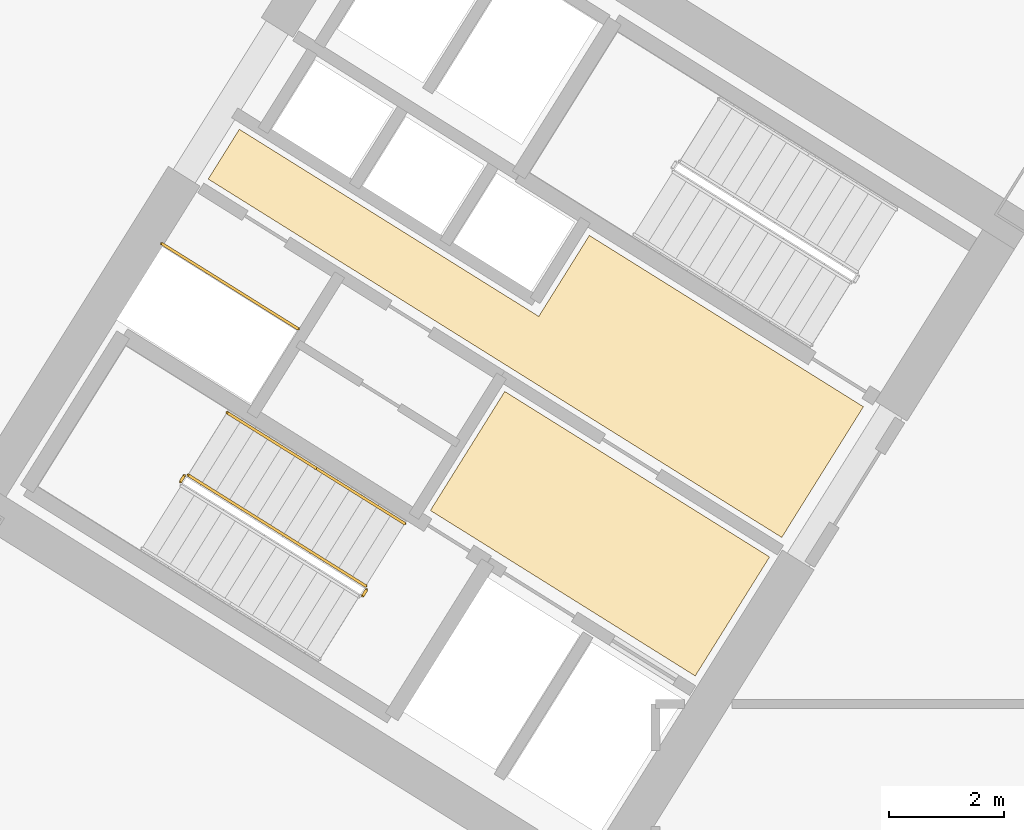
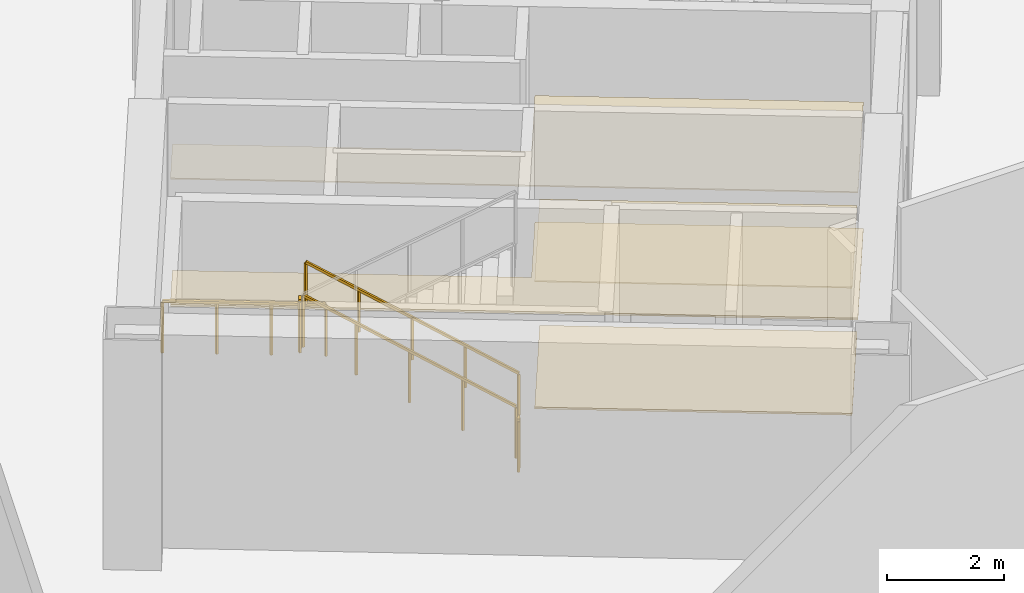
# One storey, part 18 of 22: 6 railings, 4 coverings.
"""IFC4 building model written with IfcOpenShell, lengths in metres."""

from ifc_helpers import new_model, si_unit, direction, frame, origin, origin_2d, place, context, subcontext, project, spatial, polyline, rectangle, outline, extrude, source, transform, mapped, material, layer, layer_set, type_object, element, save


model = new_model("IFC4")

# Units and contexts
model_context = context("Model", 3, precision=1e-05, world=origin(), true_north=direction((0.0, 1.0)))
body_context = subcontext(model_context, "Body", "Model", "MODEL_VIEW")
ifc_project = project(units=[si_unit("LENGTHUNIT", "METRE"), si_unit("AREAUNIT", "SQUARE_METRE"), si_unit("VOLUMEUNIT", "CUBIC_METRE"), si_unit("PLANEANGLEUNIT", "RADIAN"), si_unit("MASSUNIT", "GRAM", prefix="KILO")], contexts=[model_context])

# Site, building, storey
site_placement = place(None, origin())
site = spatial("IfcSite", under=ifc_project, at=site_placement, CompositionType="ELEMENT")
building_placement = place(site_placement, origin())
building = spatial("IfcBuilding", under=site, at=building_placement, Name="Tlacorven Tower", CompositionType="ELEMENT")
storey_placement = place(building_placement, frame((0.0, 0.0, 5.39990234375)))
storey = spatial("IfcBuildingStorey", under=building, at=storey_placement, Name="L01", CompositionType="ELEMENT", Elevation=5.39990234375)

# Coverings
ifc_material_1 = material(Name="Acoustic mineral-fibre ceiling")
ifc_layer_1 = layer(ifc_material_1, 0.02490234375)
ifc_layer_set_1 = layer_set([ifc_layer_1], Name="Acoustic mineral-fibre ceiling")
covering_type_1 = type_object("IfcCoveringType", Name="CV-CLG-ACST", PredefinedType="CEILING", material=ifc_layer_set_1)
covering_1_placement = place(storey_placement, frame((0.0, 0.0, 2.650146484375)))
element("IfcCovering", 1, at=covering_1_placement, inside=storey, type_object=covering_type_1, Name="L01 Acoustic Suspended Ceiling 1", PredefinedType="CEILING", context=body_context, shape_type="SweptSolid", body=[
    extrude(outline(polyline([(36.185302734375, 18.35595703125), (34.892333984375, 16.286865234375), (30.287353515625, 19.164306640625), (31.580322265625, 21.2333984375), (36.185302734375, 18.35595703125)])), origin(), (0.0, 0.0, 1.0), 0.02490234375),
])
covering_2_placement = place(storey_placement, frame((0.0, 0.0, 2.650146484375)))
element("IfcCovering", 2, at=covering_2_placement, inside=storey, type_object=covering_type_1, Name="L01 Acoustic Suspended Ceiling 2", PredefinedType="CEILING", context=body_context, shape_type="SweptSolid", body=[
    extrude(outline(polyline([(37.8173828125, 20.968017578125), (36.397216796875, 18.6953125), (26.424072265625, 24.927001953125), (26.964599609375, 25.7919921875), (32.171630859375, 22.538330078125), (33.05126953125, 23.946044921875), (37.8173828125, 20.968017578125)])), origin(), (0.0, 0.0, 1.0), 0.02490234375),
])
ifc_material_2 = material(Name="Terrazzo and ceramic flooring")
ifc_layer_2 = layer(ifc_material_2, 0.0400390625)
ifc_layer_set_2 = layer_set([ifc_layer_2], Name="Terrazzo and ceramic flooring")
covering_type_2 = type_object("IfcCoveringType", Name="CV-FLR-TERZ", PredefinedType="FLOORING", material=ifc_layer_set_2)
covering_3_placement = place(storey_placement, origin())
element("IfcCovering", 3, at=covering_3_placement, inside=storey, type_object=covering_type_2, Name="L01 Terrazzo Floor Finish 1", PredefinedType="FLOORING", context=body_context, shape_type="SweptSolid", body=[
    extrude(outline(polyline([(36.185302734375, 18.35595703125), (34.892333984375, 16.286865234375), (30.287353515625, 19.164306640625), (31.580322265625, 21.2333984375), (36.185302734375, 18.35595703125)])), origin(), (0.0, 0.0, 1.0), 0.0400390625),
])
covering_4_placement = place(storey_placement, origin())
element("IfcCovering", 4, at=covering_4_placement, inside=storey, type_object=covering_type_2, Name="L01 Terrazzo Floor Finish 2", PredefinedType="FLOORING", context=body_context, shape_type="SweptSolid", body=[
    extrude(outline(polyline([(37.8173828125, 20.968017578125), (36.397216796875, 18.6953125), (26.424072265625, 24.927001953125), (26.964599609375, 25.7919921875), (32.171630859375, 22.538330078125), (33.05126953125, 23.946044921875), (37.8173828125, 20.968017578125)])), origin(), (0.0, 0.0, 1.0), 0.0400390625),
])

# Railings
ifc_material_3 = material(Name="Aluminium and painted steel balustrade", Category="steel")
railing_type_1 = type_object("IfcRailingType", Name="RL-GRD-1100", PredefinedType="GUARDRAIL", material=ifc_material_3)
shared_shape_1 = source(origin(), body_context, "Body", "SweptSolid", [
    extrude(rectangle(XDim=0.048095703125, YDim=0.048095703125, at=origin_2d()), frame((0.0, 0.0, 1.076171875), z_axis=(-0.848091358275, 0.529850024081, 0.0), x_axis=(-0.529850024081, -0.848091358275, 0.0)), (0.0, 0.0, 1.0), 2.800048828125),
    extrude(rectangle(XDim=0.0419921875, YDim=0.0419921875, at=origin_2d()), origin(), (0.0, 0.0, 1.0), 1.052001953125),
    extrude(rectangle(XDim=0.0419921875, YDim=0.0419921875, at=origin_2d()), frame((-0.79150390625, 0.49462890625, 0.0)), (0.0, 0.0, 1.0), 1.052001953125),
    extrude(rectangle(XDim=0.0419921875, YDim=0.0419921875, at=origin_2d()), frame((-1.583251953125, 0.989013671875, 0.0)), (0.0, 0.0, 1.0), 1.052001953125),
    extrude(rectangle(XDim=0.0419921875, YDim=0.0419921875, at=origin_2d()), frame((-2.374755859375, 1.483642578125, 0.0)), (0.0, 0.0, 1.0), 1.052001953125),
])
railing_1_placement = place(storey_placement, frame((27.9912109375, 22.32080078125, 0.0)))
element("IfcRailing", 5, at=railing_1_placement, inside=storey, type_object=railing_type_1, Name="L01 Electrical Riser W Shaft Guard 1", PredefinedType="GUARDRAIL", context=body_context, shape_type="MappedRepresentation", body=[
    mapped(shared_shape_1, transform((0.0, 0.0, 0.0), scale=1.0)),
])
shared_shape_2 = source(origin(), body_context, "Body", "SweptSolid", [
    extrude(rectangle(XDim=0.048095703125, YDim=0.048095703125, at=origin_2d()), frame((0.0, 0.0, 1.076171875), z_axis=(-0.723262235119, 0.451953093932, 0.522139962209), x_axis=(-0.529926592015, -0.848043517206, 0.0)), (0.0, 0.0, 1.0), 4.26806640625),
    extrude(rectangle(XDim=0.0419921875, YDim=0.0419921875, at=origin_2d()), origin(), (0.0, 0.0, 1.0), 1.052001953125),
    extrude(rectangle(XDim=0.0419921875, YDim=0.0419921875, at=origin_2d()), frame((-0.771728515625, 0.482177734375, 0.55712890625)), (0.0, 0.0, 1.0), 1.052001953125),
    extrude(rectangle(XDim=0.0419921875, YDim=0.0419921875, at=origin_2d()), frame((-1.54345703125, 0.96435546875, 1.1142578125)), (0.0, 0.0, 1.0), 1.052001953125),
    extrude(rectangle(XDim=0.0419921875, YDim=0.0419921875, at=origin_2d()), frame((-2.315185546875, 1.44677734375, 1.67138671875)), (0.0, 0.0, 1.0), 1.052001953125),
    extrude(rectangle(XDim=0.0419921875, YDim=0.0419921875, at=origin_2d()), frame((-3.0869140625, 1.928955078125, 2.228515625)), (0.0, 0.0, 1.0), 1.052001953125),
])
railing_2_placement = place(storey_placement, frame((29.16064453125, 17.851806640625, 0.171630859375)))
element("IfcRailing", 6, at=railing_2_placement, inside=storey, type_object=railing_type_1, Name="L01 ST-W1 stair guard 1", PredefinedType="GUARDRAIL", context=body_context, shape_type="MappedRepresentation", body=[
    mapped(shared_shape_2, transform((0.0, 0.0, 0.0), scale=1.0)),
])
shared_shape_3 = source(origin(), body_context, "Body", "SweptSolid", [
    extrude(rectangle(XDim=0.048095703125, YDim=0.048095703125, at=origin_2d()), frame((0.0, 0.0, 1.076171875), z_axis=(-0.529084052582, -0.848569422795, 0.0), x_axis=(0.848569422795, -0.529084052582, 0.0)), (0.0, 0.0, 1.0), 0.119873046875),
    extrude(rectangle(XDim=0.0419921875, YDim=0.0419921875, at=origin_2d()), origin(), (0.0, 0.0, 1.0), 1.052001953125),
    extrude(rectangle(XDim=0.0419921875, YDim=0.0419921875, at=origin_2d()), frame((-0.0634765625, -0.101806640625, 0.0)), (0.0, 0.0, 1.0), 1.052001953125),
])
for number, where, name in (
    (7, (26.0048828125, 19.764892578125, 2.400146484375), "L01 ST-W1 stair guard 2"),
    (8, (29.176513671875, 17.782958984375, 0.0), "L01 ST-W1 stair guard 4"),
):
    element("IfcRailing", number, at=place(storey_placement, frame(where)), inside=storey, type_object=railing_type_1, Name=name, PredefinedType="GUARDRAIL", context=body_context, shape_type="MappedRepresentation", body=[
        mapped(shared_shape_3, transform((0.0, 0.0, 0.0), scale=1.0)),
    ])
railing_type_2 = type_object("IfcRailingType", Name="RL-HND-0900", PredefinedType="HANDRAIL", material=ifc_material_3)
shared_shape_4 = source(origin(), body_context, "Body", "SweptSolid", [
    extrude(rectangle(XDim=0.048095703125, YDim=0.048095703125, at=origin_2d()), frame((0.0, 0.0, 0.8759765625), z_axis=(-0.723243536433, 0.451998610004, 0.522126463189), x_axis=(-0.529974825293, -0.848013375222, 0.0)), (0.0, 0.0, 1.0), 2.134033203125),
    extrude(rectangle(XDim=0.0419921875, YDim=0.0419921875, at=origin_2d()), origin(), (0.0, 0.0, 1.0), 0.851806640625),
    extrude(rectangle(XDim=0.0419921875, YDim=0.0419921875, at=origin_2d()), frame((-0.771728515625, 0.482421875, 0.55712890625)), (0.0, 0.0, 1.0), 0.851806640625),
    extrude(rectangle(XDim=0.0419921875, YDim=0.0419921875, at=origin_2d()), frame((-1.54345703125, 0.964599609375, 1.1142578125)), (0.0, 0.0, 1.0), 0.851806640625),
])
railing_3_placement = place(storey_placement, frame((29.839111328125, 18.937255859375, 0.171630859375)))
element("IfcRailing", 9, at=railing_3_placement, inside=storey, type_object=railing_type_2, Name="L01 ST-W1 stair handrail 1", PredefinedType="HANDRAIL", context=body_context, shape_type="MappedRepresentation", body=[
    mapped(shared_shape_4, transform((0.0, 0.0, 0.0), scale=1.0)),
])
shared_shape_5 = source(origin(), body_context, "Body", "SweptSolid", [
    extrude(rectangle(XDim=0.048095703125, YDim=0.048095703125, at=origin_2d()), frame((0.0, 0.0, 0.8759765625), z_axis=(-0.723280932889, 0.45190757433, 0.522153460567), x_axis=(-0.529878353595, -0.848073658589, 0.0)), (0.0, 0.0, 1.0), 2.134033203125),
    extrude(rectangle(XDim=0.0419921875, YDim=0.0419921875, at=origin_2d()), origin(), (0.0, 0.0, 1.0), 0.851806640625),
    extrude(rectangle(XDim=0.0419921875, YDim=0.0419921875, at=origin_2d()), frame((-0.771728515625, 0.482177734375, 0.55712890625)), (0.0, 0.0, 1.0), 0.851806640625),
    extrude(rectangle(XDim=0.0419921875, YDim=0.0419921875, at=origin_2d()), frame((-1.54345703125, 0.96435546875, 1.1142578125)), (0.0, 0.0, 1.0), 0.851806640625),
])
railing_4_placement = place(storey_placement, frame((28.295654296875, 19.90185546875, 1.285888671875)))
element("IfcRailing", 10, at=railing_4_placement, inside=storey, type_object=railing_type_2, Name="L01 ST-W1 stair handrail 2", PredefinedType="HANDRAIL", context=body_context, shape_type="MappedRepresentation", body=[
    mapped(shared_shape_5, transform((0.0, 0.0, 0.0), scale=1.0)),
])

save(model, "model.ifc")
